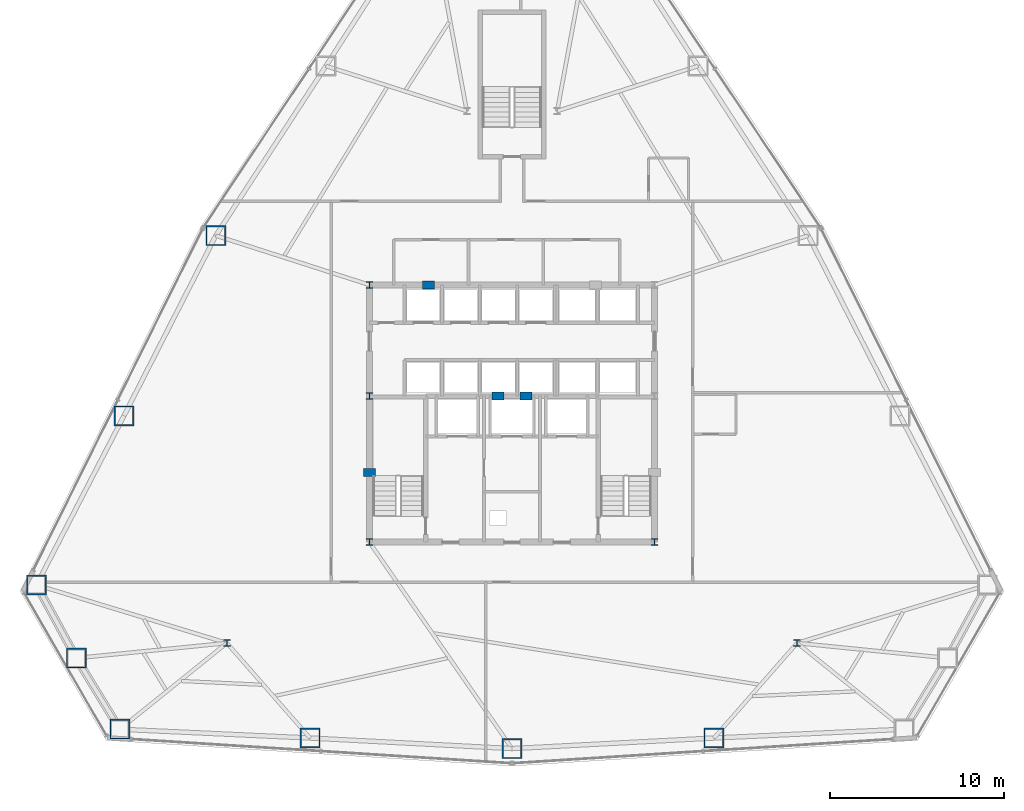
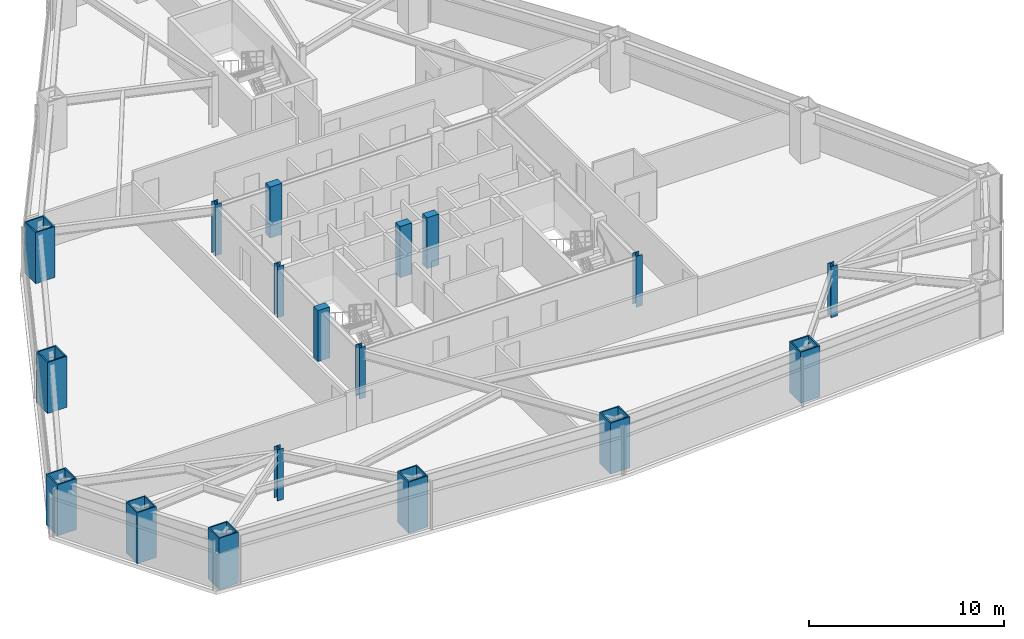
# One storey, part 1 of 12: 18 columns.
"""IFC4 building model written with IfcOpenShell, lengths in metres."""

from ifc_helpers import new_model, si_unit, direction, frame, origin, origin_2d, place, context, subcontext, project, spatial, rectangle, hollow_rectangle, i_section, extrude, material, material_profile, profile_set, type_object, element, save


model = new_model("IFC4")

# Units and contexts
model_context = context("Model", 3, precision=1e-05, world=origin(), true_north=direction((0.0, 1.0)))
body_context = subcontext(model_context, "Body", "Model", "MODEL_VIEW")
ifc_project = project(units=[si_unit("LENGTHUNIT", "METRE"), si_unit("AREAUNIT", "SQUARE_METRE"), si_unit("VOLUMEUNIT", "CUBIC_METRE"), si_unit("PLANEANGLEUNIT", "RADIAN"), si_unit("MASSUNIT", "GRAM", prefix="KILO")], contexts=[model_context])

# Site, building, storey
site_placement = place(None, origin())
site = spatial("IfcSite", under=ifc_project, at=site_placement, CompositionType="ELEMENT")
building_placement = place(site_placement, origin())
building = spatial("IfcBuilding", under=site, at=building_placement, Name="Varakhsha Concourse Tower", CompositionType="ELEMENT")
storey_placement = place(building_placement, frame((0.0, 0.0, 62.39990234375)))
storey = spatial("IfcBuildingStorey", under=building, at=storey_placement, Name="L17", CompositionType="ELEMENT", Elevation=62.39990234375)

# Columns
ifc_material_1 = material(Name="Structural Steel ASTM A992 Grade 50", Category="steel")
ifc_material_profile_1 = material_profile(ifc_material_1, i_section(OverallWidth=0.3740234375, OverallDepth=0.3720703125, WebThickness=0.01611328125, FlangeThickness=0.02587890625, at=origin_2d()), Name="W14X132")
ifc_profile_set_1 = profile_set([ifc_material_profile_1], Name="Structural Steel ASTM A992 Grade 50")
column_type_1 = type_object("IfcColumnType", Name="CL-CORE-W14X132", PredefinedType="COLUMN", material=ifc_profile_set_1)
for number, where, z_axis, x_axis, name in (
    (1, (31.800048828125, 16.39990234375, 0.0), (0.0, 0.0, 1.0), (1.0, 0.0, 0.0), "L17 Core Column CC-SW"),
    (2, (48.199951171875, 16.39990234375, 0.0), (0.0, 0.0, 1.0), (1.0, 0.0, 0.0), "L17 Core Column CC-SE"),
    (3, (31.800048828125, 24.800048828125, 0.0), (0.0, 0.0, 1.0), (1.0, 0.0, 0.0), "L17 Core Column CC-MW"),
    (4, (31.800048828125, 31.199951171875, 0.0), (0.0, 0.0, 1.0), (1.0, 0.0, 0.0), "L17 Core Column CC-NW"),
    (5, (23.60009765625, 10.60009765625, 0.0), (0.0, 0.0, 1.0), (1.0, 0.0, 0.0), "L17 Core Column SS-W"),
    (6, (56.39990234375, 10.60009765625, 0.0), (0.0, 0.0, 1.0), (1.0, 0.0, 0.0), "L17 Core Column SS-E"),
):
    element("IfcColumn", number, at=place(storey_placement, frame(where, z_axis=z_axis, x_axis=x_axis)), inside=storey, type_object=column_type_1, Name=name, PredefinedType="COLUMN", context=body_context, shape_type="SweptSolid", body=[
        extrude(i_section(OverallWidth=0.3740234375, OverallDepth=0.3720703125, WebThickness=0.01611328125, FlangeThickness=0.02587890625, at=origin_2d()), origin(), (0.0, 0.0, 1.0), 3.2001953125),
    ])
ifc_material_2 = material(Name="Concrete fc 65 MPa", Category="concrete")
ifc_material_profile_2 = material_profile(ifc_material_2, rectangle(XDim=0.699951171875, YDim=0.449951171875, at=origin_2d()), Name="RC 700x450")
ifc_profile_set_2 = profile_set([ifc_material_profile_2], Name="Concrete fc 65 MPa")
column_type_2 = type_object("IfcColumnType", Name="CL-PIL-700X450", PredefinedType="PILASTER", material=ifc_profile_set_2)
for number, where, z_axis, x_axis, name in (
    (7, (31.800048828125, 20.39990234375, 0.0), (0.0, 0.0, 1.0), (1.0, 0.0, 0.0), "L17 Core Boundary Pilaster PIL-W1"),
    (8, (35.199951171875, 31.199951171875, 0.0), (0.0, 0.0, 1.0), (1.0, 0.0, 0.0), "L17 Core Boundary Pilaster PIL-N1"),
    (9, (39.199951171875, 24.800048828125, 0.0), (0.0, 0.0, 1.0), (1.0, 0.0, 0.0), "L17 Core Boundary Pilaster PIL-M1"),
    (10, (40.800048828125, 24.800048828125, 0.0), (0.0, 0.0, 1.0), (1.0, 0.0, 0.0), "L17 Core Boundary Pilaster PIL-M2"),
):
    element("IfcColumn", number, at=place(storey_placement, frame(where, z_axis=z_axis, x_axis=x_axis)), inside=storey, type_object=column_type_2, Name=name, PredefinedType="PILASTER", context=body_context, shape_type="SweptSolid", body=[
        extrude(rectangle(XDim=0.699951171875, YDim=0.449951171875, at=origin_2d()), origin(), (0.0, 0.0, 1.0), 3.2001953125),
    ])
ifc_material_3 = material(Name="Structural Steel ASTM A572 Grade 50", Category="steel")
ifc_material_profile_3 = material_profile(ifc_material_3, hollow_rectangle(XDim=1.14990234375, YDim=1.14990234375, WallThickness=0.074951171875, at=origin_2d()), Name="BOX 1150x1150x75")
ifc_profile_set_3 = profile_set([ifc_material_profile_3], Name="Structural Steel ASTM A572 Grade 50")
column_type_3 = type_object("IfcColumnType", Name="CL-TUBE-1150", PredefinedType="COLUMN", material=ifc_profile_set_3)
for number, where, z_axis, x_axis, name in (
    (11, (22.965087890625, 34.03515625, 0.0), (0.0, 0.0, 1.0), (1.0, 0.0, 0.0), "L17 Framed-Tube Column TC05"),
    (12, (17.68359375, 23.672607421875, 0.0), (0.0, 0.0, 1.0), (1.0, 0.0, 0.0), "L17 Framed-Tube Column TC06"),
    (13, (12.6494140625, 13.94140625, 0.0), (0.0, 0.0, 1.0), (1.0, 0.0, 0.0), "L17 Framed-Tube Column TC07"),
    (14, (14.9423828125, 9.73291015625, 0.0), (0.0, 0.0, 1.0), (1.0, 0.0, 0.0), "L17 Framed-Tube Column TC08"),
    (15, (17.4404296875, 5.642822265625, 0.0), (0.0, 0.0, 1.0), (1.0, 0.0, 0.0), "L17 Framed-Tube Column TC09"),
    (16, (28.38525390625, 5.13720703125, 0.0), (0.0, 0.0, 1.0), (1.0, 0.0, 0.0), "L17 Framed-Tube Column TC10"),
    (17, (40.0, 4.52978515625, 0.0), (0.0, 0.0, 1.0), (1.0, 0.0, 0.0), "L17 Framed-Tube Column TC11"),
    (18, (51.61474609375, 5.13720703125, 0.0), (0.0, 0.0, 1.0), (1.0, 0.0, 0.0), "L17 Framed-Tube Column TC12"),
):
    element("IfcColumn", number, at=place(storey_placement, frame(where, z_axis=z_axis, x_axis=x_axis)), inside=storey, type_object=column_type_3, Name=name, PredefinedType="COLUMN", context=body_context, shape_type="SweptSolid", body=[
        extrude(hollow_rectangle(XDim=1.14990234375, YDim=1.14990234375, WallThickness=0.074951171875, at=origin_2d()), origin(), (0.0, 0.0, 1.0), 3.2001953125),
    ])

save(model, "model.ifc")
